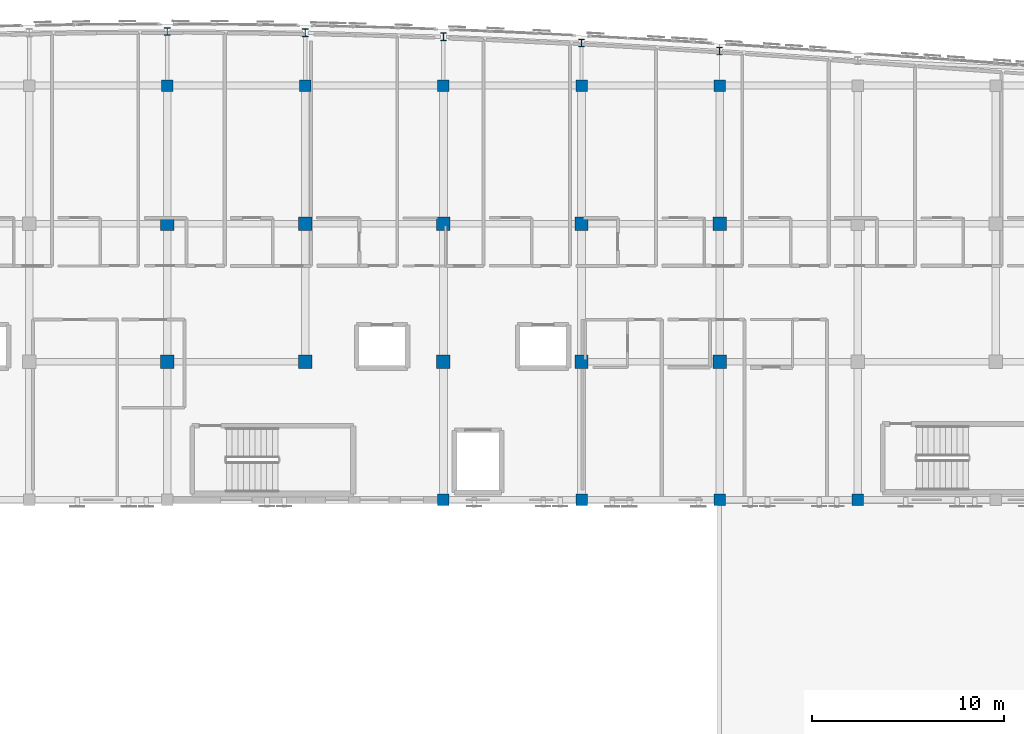
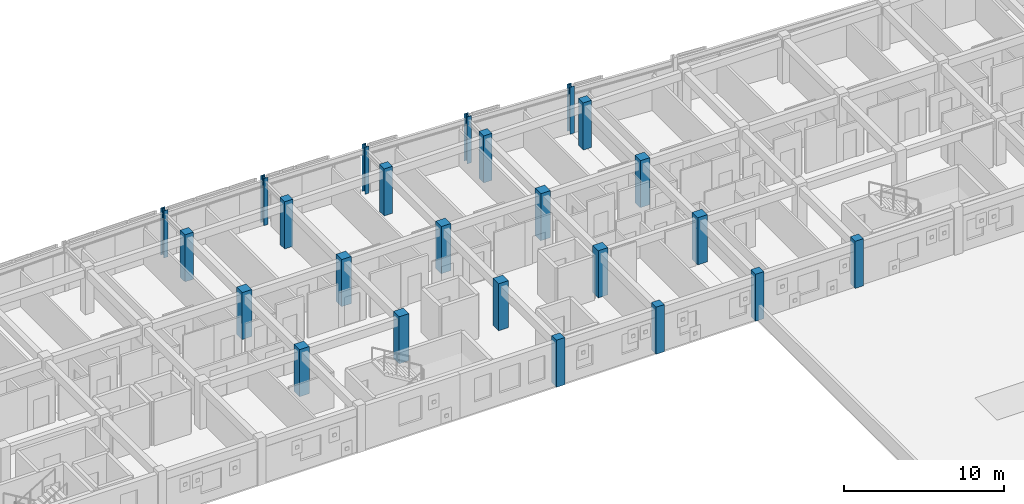
# One storey, part 3 of 50: 24 columns.
"""IFC4 building model written with IfcOpenShell, lengths in metres."""

import ifcopenshell
import ifcopenshell.guid

model = None  # the IFC model being written
_history = None  # IfcOwnerHistory: only IFC2X3 demands one
_inside = {}  # id of a spatial element -> (the spatial element, [elements in it])
_under = {}  # id of a project, library or spatial element -> (it, [spatial elements below it])
_declared = {}  # id of a project -> (the project, [libraries it declares])
_typed = {}  # id of a type object -> (the type object, [elements of that type])
_made_of = {}  # id of a material, layer set ... -> (it, [elements and type objects made of it])


def new_model(schema):
    """Start an empty IFC model of exactly this schema.

    Asked for "IFC4X3", IfcOpenShell would pick the latest addendum, in which some entities
    have other attributes; the version numbers below select the first issue.
    IFC2X3 requires an IfcOwnerHistory on every rooted entity: one is made here for all.
    """
    global model, _history
    if schema == "IFC4X3":
        model = ifcopenshell.file(schema_version=(4, 3, 0, 0))
    else:
        model = ifcopenshell.file(schema=schema)
    _inside.clear()
    _under.clear()
    _declared.clear()
    _typed.clear()
    _made_of.clear()
    _history = None
    if model.schema == "IFC2X3":
        org = make("IfcOrganization", Name="unknown")
        user = make(
            "IfcPersonAndOrganization",
            ThePerson=make("IfcPerson", FamilyName="unknown"),
            TheOrganization=org,
        )
        app = make(
            "IfcApplication",
            ApplicationDeveloper=org,
            Version="unknown",
            ApplicationFullName="unknown",
            ApplicationIdentifier="unknown",
        )
        _history = make(
            "IfcOwnerHistory",
            OwningUser=user,
            OwningApplication=app,
            ChangeAction="ADDED",
            CreationDate=0,
        )
    return model


def make(cls, **values):
    """One entity of the class cls with the attributes given. An attribute that is None is left unset."""
    return model.create_entity(
        cls, **{name: value for name, value in values.items() if value is not None}
    )


def rooted(cls, **values):
    """An entity with a GlobalId (a new one), such as an element, a storey or a relation."""
    return make(cls, GlobalId=ifcopenshell.guid.new(), OwnerHistory=_history, **values)


def si_unit(unit_type, name, prefix=None):
    """IfcSIUnit, for example si_unit("LENGTHUNIT", "METRE", prefix="MILLI")."""
    return make("IfcSIUnit", UnitType=unit_type, Prefix=prefix, Name=name)


def assignment(units):
    """IfcUnitAssignment: the units of a project."""
    return None if units is None else make("IfcUnitAssignment", Units=units)


def point(xyz):
    """IfcCartesianPoint."""
    return None if xyz is None else make("IfcCartesianPoint", Coordinates=xyz)


def direction(xyz):
    """IfcDirection."""
    return None if xyz is None else make("IfcDirection", DirectionRatios=xyz)


def frame(location, z_axis=None, x_axis=None):
    """IfcAxis2Placement3D, a coordinate frame: its origin and axes. An axis left out is left unset."""
    return make(
        "IfcAxis2Placement3D",
        Location=point(location),
        Axis=direction(z_axis),
        RefDirection=direction(x_axis),
    )


def frame_2d(location, x_axis=None):
    """IfcAxis2Placement2D, a coordinate frame in the plane: its origin and x axis."""
    return make(
        "IfcAxis2Placement2D", Location=point(location), RefDirection=direction(x_axis)
    )


def origin():
    """The frame at (0, 0, 0) with its axes left unset."""
    return frame((0.0, 0.0, 0.0))


def origin_2d():
    """The frame at (0, 0) in the plane with its x axis left unset."""
    return frame_2d((0.0, 0.0))


def place(relative_to, where):
    """IfcLocalPlacement: puts the frame where relative to a parent placement (None: the world)."""
    return make(
        "IfcLocalPlacement", PlacementRelTo=relative_to, RelativePlacement=where
    )


def context(
    kind, dimensions, precision=None, world=None, true_north=None, identifier=None
):
    """IfcGeometricRepresentationContext, for example the 3D "Model" context."""
    return make(
        "IfcGeometricRepresentationContext",
        ContextIdentifier=identifier,
        ContextType=kind,
        CoordinateSpaceDimension=dimensions,
        Precision=precision,
        WorldCoordinateSystem=world,
        TrueNorth=true_north,
    )


def subcontext(parent, identifier, kind, view, scale=None):
    """IfcGeometricRepresentationSubContext, for example "Body" below "Model"."""
    return make(
        "IfcGeometricRepresentationSubContext",
        ContextIdentifier=identifier,
        ContextType=kind,
        ParentContext=parent,
        TargetScale=scale,
        TargetView=view,
    )


def project(units=None, contexts=None):
    """IfcProject with its units and contexts."""
    return rooted(
        "IfcProject",
        Name="project",
        RepresentationContexts=contexts,
        UnitsInContext=assignment(units),
    )


def spatial(cls, under=None, at=None, **own):
    """A site, building, storey or space (cls), placed at a placement, below another one or the project."""
    s = rooted(cls, ObjectPlacement=at, **own)
    if under is not None:
        _under.setdefault(under.id(), (under, []))[1].append(s)
    return s


def profile(cls, at=None, kind="AREA", **sizes):
    """A parametric profile (cls). Its sizes go by their IFC names, for example OverallWidth=200.0."""
    return make(cls, ProfileType=kind, Position=at, **sizes)


def rectangle(**sizes):
    """IfcRectangleProfileDef."""
    return profile("IfcRectangleProfileDef", **sizes)


def i_section(**sizes):
    """IfcIShapeProfileDef."""
    return profile("IfcIShapeProfileDef", **sizes)


def extrude(swept, where, along, depth):
    """IfcExtrudedAreaSolid: the profile swept, set in the frame where, extruded along a direction by depth."""
    return make(
        "IfcExtrudedAreaSolid",
        SweptArea=swept,
        Position=where,
        ExtrudedDirection=direction(along),
        Depth=depth,
    )


def shape(context_of_items, identifier, shape_type, items):
    """IfcShapeRepresentation: the items that make up one representation, for example the "Body"."""
    return make(
        "IfcShapeRepresentation",
        ContextOfItems=context_of_items,
        RepresentationIdentifier=identifier,
        RepresentationType=shape_type,
        Items=items,
    )


def material(Name=None, Category=None):
    """IfcMaterial."""
    return make("IfcMaterial", Name=Name, Category=Category)


def material_profile(
    of_material, cross_section, Name=None, Category=None, Priority=None
):
    """IfcMaterialProfile: a cross section and its material."""
    return make(
        "IfcMaterialProfile",
        Name=Name,
        Material=of_material,
        Profile=cross_section,
        Priority=Priority,
        Category=Category,
    )


def profile_set(profiles, Name=None, composite=None):
    """IfcMaterialProfileSet."""
    return make(
        "IfcMaterialProfileSet",
        Name=Name,
        MaterialProfiles=profiles,
        CompositeProfile=composite,
    )


def made_of(thing, what):
    """Note that an element or type object is made of a material, layer set ...; save() writes the relation."""
    if what is not None:
        _made_of.setdefault(what.id(), (what, []))[1].append(thing)
    return thing


def type_object(cls, material=None, **own):
    """A type object (cls), such as IfcWallType, which elements share."""
    return made_of(rooted(cls, **own), material)


def element(
    cls,
    number,
    at=None,
    inside=None,
    cuts=None,
    type_object=None,
    material=None,
    context=None,
    identifier="Body",
    shape_type=None,
    held_by="IfcProductDefinitionShape",
    body=None,
    shapes=None,
    **own,
):
    """One element of the class cls, such as IfcWall. Its Tag is "e" and its number.

    at: its placement. inside: the storey or other place that contains it. cuts: it is an
    opening in that element (IfcRelVoidsElement). A single representation is given by context,
    identifier, shape_type and body (its items); several are given by shapes. held_by: the class
    of the entity that holds the representations. save() writes the other relations.
    """
    e = rooted(cls, Tag="e%d" % number, ObjectPlacement=at, **own)
    if body is not None:
        shapes = [shape(context, identifier, shape_type, body)]
    if shapes is not None:
        e.Representation = make(held_by, Representations=shapes)
    if inside is not None:
        _inside.setdefault(inside.id(), (inside, []))[1].append(e)
    if cuts is not None:
        rooted(
            "IfcRelVoidsElement", RelatingBuildingElement=cuts, RelatedOpeningElement=e
        )
    if type_object is not None:
        _typed.setdefault(type_object.id(), (type_object, []))[1].append(e)
    return made_of(e, material)


def aggregate(whole, parts):
    """IfcRelAggregates: a whole, such as a stair, and the parts it consists of."""
    return rooted("IfcRelAggregates", RelatingObject=whole, RelatedObjects=parts)


def save(model, path):
    """Write the relations noted so far, then the file.

    IfcRelAggregates (storeys below a building ...), IfcRelContainedInSpatialStructure (elements
    in a storey), IfcRelDefinesByType, IfcRelAssociatesMaterial and IfcRelDeclares: one each for
    every whole, place, type object, material and project.
    """
    for whole, parts in _under.values():
        aggregate(whole, parts)
    for where, things in _inside.values():
        rooted(
            "IfcRelContainedInSpatialStructure",
            RelatedElements=things,
            RelatingStructure=where,
        )
    for kind, things in _typed.values():
        rooted("IfcRelDefinesByType", RelatedObjects=things, RelatingType=kind)
    for what, things in _made_of.values():
        rooted("IfcRelAssociatesMaterial", RelatedObjects=things, RelatingMaterial=what)
    for by, libraries in _declared.values():
        rooted("IfcRelDeclares", RelatingContext=by, RelatedDefinitions=libraries)
    model.write(path)


model = new_model("IFC4")

# Units and contexts
model_context = context("Model", 3, precision=1e-05, world=origin(), true_north=direction((0.0, 1.0)))
body_context = subcontext(model_context, "Body", "Model", "MODEL_VIEW")
ifc_project = project(units=[si_unit("LENGTHUNIT", "METRE"), si_unit("AREAUNIT", "SQUARE_METRE"), si_unit("VOLUMEUNIT", "CUBIC_METRE"), si_unit("PLANEANGLEUNIT", "RADIAN"), si_unit("MASSUNIT", "GRAM", prefix="KILO")], contexts=[model_context])

# Site, building, storey
site_placement = place(None, origin())
site = spatial("IfcSite", under=ifc_project, at=site_placement, CompositionType="ELEMENT")
building_placement = place(site_placement, origin())
building = spatial("IfcBuilding", under=site, at=building_placement, Name="Carrowvane Square Congress Hotel", CompositionType="ELEMENT")
storey_placement = place(building_placement, frame((0.0, 0.0, 22.800048828125)))
storey = spatial("IfcBuildingStorey", under=building, at=storey_placement, Name="L05", CompositionType="ELEMENT", Elevation=22.800048828125)

# Columns
ifc_material_1 = material(Name="Concrete C40/50", Category="concrete")
ifc_material_profile_1 = material_profile(ifc_material_1, rectangle(XDim=0.60009765625, YDim=0.60009765625, at=origin_2d()), Name="RC 600x600")
ifc_profile_set_1 = profile_set([ifc_material_profile_1], Name="Concrete C40/50")
column_type_1 = type_object("IfcColumnType", Name="COL-RC-600", PredefinedType="COLUMN", material=ifc_profile_set_1)
for number, where, z_axis, x_axis, name in (
    (1, (98.0, 113.39990234375, 0.0), (0.0, 0.0, 1.0), (1.0, 0.0, 0.0), "L05 column 13/R"),
    (2, (105.199951171875, 113.39990234375, 0.0), (0.0, 0.0, 1.0), (1.0, 0.0, 0.0), "L05 column 14/R"),
    (3, (112.39990234375, 91.800048828125, 0.0), (0.0, 0.0, 1.0), (1.0, 0.0, 0.0), "L05 column 15/N"),
    (4, (112.39990234375, 113.39990234375, 0.0), (0.0, 0.0, 1.0), (1.0, 0.0, 0.0), "L05 column 15/R"),
    (5, (119.60009765625, 91.800048828125, 0.0), (0.0, 0.0, 1.0), (1.0, 0.0, 0.0), "L05 column 16/N"),
    (6, (119.60009765625, 113.39990234375, 0.0), (0.0, 0.0, 1.0), (1.0, 0.0, 0.0), "L05 column 16/R"),
    (7, (126.800048828125, 91.800048828125, 0.0), (0.0, 0.0, 1.0), (1.0, 0.0, 0.0), "L05 column 17/N"),
    (8, (126.800048828125, 113.39990234375, 0.0), (0.0, 0.0, 1.0), (1.0, 0.0, 0.0), "L05 column 17/R"),
    (9, (134.0, 91.800048828125, 0.0), (0.0, 0.0, 1.0), (1.0, 0.0, 0.0), "L05 column 18/N"),
):
    element("IfcColumn", number, at=place(storey_placement, frame(where, z_axis=z_axis, x_axis=x_axis)), inside=storey, type_object=column_type_1, Name=name, PredefinedType="COLUMN", context=body_context, shape_type="SweptSolid", body=[
        extrude(rectangle(XDim=0.60009765625, YDim=0.60009765625, at=origin_2d()), origin(), (0.0, 0.0, 1.0), 3.599853515625),
    ])
ifc_material_2 = material(Name="Concrete C40/50", Category="concrete")
ifc_material_profile_2 = material_profile(ifc_material_2, rectangle(XDim=0.699951171875, YDim=0.699951171875, at=origin_2d()), Name="RC 700x700")
ifc_profile_set_2 = profile_set([ifc_material_profile_2], Name="Concrete C40/50")
column_type_2 = type_object("IfcColumnType", Name="COL-RC-700", PredefinedType="COLUMN", material=ifc_profile_set_2)
for number, where, z_axis, x_axis, name in (
    (10, (98.0, 99.0, 0.0), (0.0, 0.0, 1.0), (1.0, 0.0, 0.0), "L05 column 13/P"),
    (11, (98.0, 106.199951171875, 0.0), (0.0, 0.0, 1.0), (1.0, 0.0, 0.0), "L05 column 13/Q"),
    (12, (105.199951171875, 99.0, 0.0), (0.0, 0.0, 1.0), (1.0, 0.0, 0.0), "L05 column 14/P"),
    (13, (105.199951171875, 106.199951171875, 0.0), (0.0, 0.0, 1.0), (1.0, 0.0, 0.0), "L05 column 14/Q"),
    (14, (112.39990234375, 99.0, 0.0), (0.0, 0.0, 1.0), (1.0, 0.0, 0.0), "L05 column 15/P"),
    (15, (112.39990234375, 106.199951171875, 0.0), (0.0, 0.0, 1.0), (1.0, 0.0, 0.0), "L05 column 15/Q"),
    (16, (119.60009765625, 99.0, 0.0), (0.0, 0.0, 1.0), (1.0, 0.0, 0.0), "L05 column 16/P"),
    (17, (119.60009765625, 106.199951171875, 0.0), (0.0, 0.0, 1.0), (1.0, 0.0, 0.0), "L05 column 16/Q"),
    (18, (126.800048828125, 99.0, 0.0), (0.0, 0.0, 1.0), (1.0, 0.0, 0.0), "L05 column 17/P"),
    (19, (126.800048828125, 106.199951171875, 0.0), (0.0, 0.0, 1.0), (1.0, 0.0, 0.0), "L05 column 17/Q"),
):
    element("IfcColumn", number, at=place(storey_placement, frame(where, z_axis=z_axis, x_axis=x_axis)), inside=storey, type_object=column_type_2, Name=name, PredefinedType="COLUMN", context=body_context, shape_type="SweptSolid", body=[
        extrude(rectangle(XDim=0.699951171875, YDim=0.699951171875, at=origin_2d()), origin(), (0.0, 0.0, 1.0), 3.599853515625),
    ])
ifc_material_3 = material(Name="Steel S355", Category="steel")
ifc_material_profile_3 = material_profile(ifc_material_3, i_section(OverallWidth=0.300048828125, OverallDepth=0.39990234375, WebThickness=0.013427734375, FlangeThickness=0.02392578125, FilletRadius=0.027099609375, at=origin_2d()), Name="HEB 400")
ifc_profile_set_3 = profile_set([ifc_material_profile_3], Name="Steel S355")
column_type_3 = type_object("IfcColumnType", Name="COL-ST-HEB400", PredefinedType="COLUMN", material=ifc_profile_set_3)
for number, where, z_axis, x_axis, name in (
    (20, (98.0, 116.219970703125, 0.0), (0.0, 0.0, 1.0), (1.0, 0.0, 0.0), "L05 column 13/ARC"),
    (21, (105.199951171875, 116.14990234375, 0.0), (0.0, 0.0, 1.0), (1.0, 0.0, 0.0), "L05 column 14/ARC"),
    (22, (112.39990234375, 115.944091796875, 0.0), (0.0, 0.0, 1.0), (1.0, 0.0, 0.0), "L05 column 15/ARC"),
    (23, (119.60009765625, 115.61767578125, 0.0), (0.0, 0.0, 1.0), (1.0, 0.0, 0.0), "L05 column 16/ARC"),
    (24, (126.800048828125, 115.1943359375, 0.0), (0.0, 0.0, 1.0), (1.0, 0.0, 0.0), "L05 column 17/ARC"),
):
    element("IfcColumn", number, at=place(storey_placement, frame(where, z_axis=z_axis, x_axis=x_axis)), inside=storey, type_object=column_type_3, Name=name, PredefinedType="COLUMN", context=body_context, shape_type="SweptSolid", body=[
        extrude(i_section(OverallWidth=0.300048828125, OverallDepth=0.39990234375, WebThickness=0.013427734375, FlangeThickness=0.02392578125, FilletRadius=0.027099609375, at=origin_2d()), origin(), (0.0, 0.0, 1.0), 3.599853515625),
    ])

save(model, "model.ifc")
